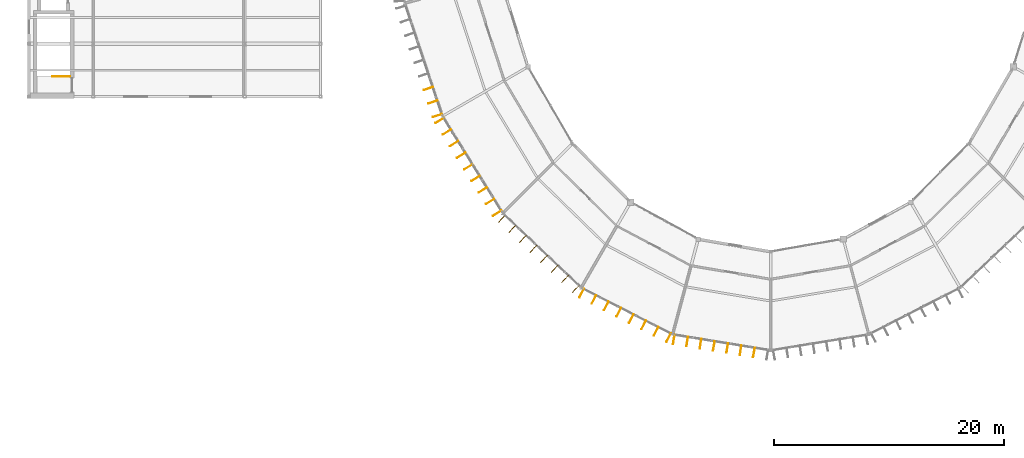
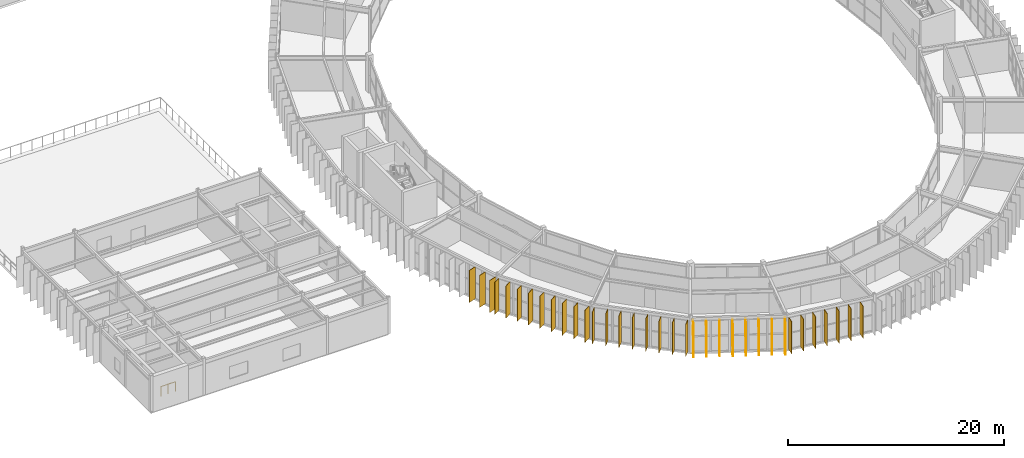
# One storey, part 120 of 130: 35 shading devices, 1 railing.
"""IFC4 building model written with IfcOpenShell, lengths in metres."""

from ifc_helpers import new_model, si_unit, direction, frame, origin, origin_2d, place, context, subcontext, project, spatial, rectangle, circle, extrude, material, layer, layer_set, type_object, element, save


model = new_model("IFC4")

# Units and contexts
model_context = context("Model", 3, precision=1e-05, world=origin(), true_north=direction((0.0, 1.0)))
body_context = subcontext(model_context, "Body", "Model", "MODEL_VIEW")
ifc_project = project(units=[si_unit("LENGTHUNIT", "METRE"), si_unit("AREAUNIT", "SQUARE_METRE"), si_unit("VOLUMEUNIT", "CUBIC_METRE"), si_unit("PLANEANGLEUNIT", "RADIAN"), si_unit("MASSUNIT", "GRAM", prefix="KILO")], contexts=[model_context])

# Site, building, storey
site_placement = place(None, origin())
site = spatial("IfcSite", under=ifc_project, at=site_placement, CompositionType="ELEMENT")
building_placement = place(site_placement, origin())
building = spatial("IfcBuilding", under=site, at=building_placement, Name="Karori Crest Natural Sciences Institute", CompositionType="ELEMENT")
storey_placement = place(building_placement, frame((0.0, 0.0, 17.5)))
storey = spatial("IfcBuildingStorey", under=building, at=storey_placement, Name="L04", CompositionType="ELEMENT", Elevation=17.5)

# Railing
ifc_material_1 = material(Name="Stainless steel 316 stair guard", Category="steel")
railing_type = type_object("IfcRailingType", Name="RLT-STG", PredefinedType="GUARDRAIL", material=ifc_material_1)
railing_placement = place(storey_placement, frame((5.39990234375, 32.949951171875, 0.0)))
element("IfcRailing", 1, at=railing_placement, inside=storey, type_object=railing_type, Name="Stair top well guard RL-0337", PredefinedType="GUARDRAIL", context=body_context, shape_type="SweptSolid", body=[
    extrude(circle(Radius=0.02392578125, at=origin_2d()), frame((0.0, 0.0, 1.076171875), z_axis=(-1.0, 0.0, 0.0), x_axis=(0.0, -1.0, 0.0)), (0.0, 0.0, 1.0), 1.5498046875),
    extrude(circle(Radius=0.02099609375, at=origin_2d()), origin(), (0.0, 0.0, 1.0), 1.052001953125),
    extrude(circle(Radius=0.02099609375, at=origin_2d()), frame((-0.77490234375, 0.0, 0.0)), (0.0, 0.0, 1.0), 1.052001953125),
    extrude(circle(Radius=0.02099609375, at=origin_2d()), frame((-1.5498046875, 0.0, 0.0)), (0.0, 0.0, 1.0), 1.052001953125),
])

# Shading devices
ifc_material_2 = material(Name="Anodised architectural aluminium 6063-T6", Category="aluminium")
ifc_layer = layer(ifc_material_2, 0.044921875, Name="Anodised architectural aluminium 6063-T6")
ifc_layer_set = layer_set([ifc_layer], Name="Anodised architectural aluminium 6063-T6")
shading_device_type = type_object("IfcShadingDeviceType", Name="SDT-FIN", PredefinedType="USERDEFINED", material=ifc_layer_set)
for number, where, z_axis, x_axis, name in (
    (2, (37.374267578125, 29.543701171875, 0.0), (0.0, 0.0, 1.0), (-0.948197867933, -0.317680347595, 0.0), "Vertical solar fin FN-0724"),
    (3, (36.978515625, 30.724609375, 0.0), (0.0, 0.0, 1.0), (-0.948197867933, -0.317680347595, 0.0), "Vertical solar fin FN-0725"),
    (4, (36.5830078125, 31.9052734375, 0.0), (0.0, 0.0, 1.0), (-0.948197867933, -0.317680347595, 0.0), "Vertical solar fin FN-0726"),
    (5, (42.584716796875, 21.047119140625, 0.0), (0.0, 0.0, 1.0), (-0.849661763889, -0.527328063907, 0.0), "Vertical solar fin FN-0733"),
    (6, (41.95849609375, 22.05615234375, 0.0), (0.0, 0.0, 1.0), (-0.849661763889, -0.527328063907, 0.0), "Vertical solar fin FN-0734"),
    (7, (41.332275390625, 23.065185546875, 0.0), (0.0, 0.0, 1.0), (-0.849661763889, -0.527328063907, 0.0), "Vertical solar fin FN-0735"),
    (8, (40.7060546875, 24.07421875, 0.0), (0.0, 0.0, 1.0), (-0.849661763889, -0.527328063907, 0.0), "Vertical solar fin FN-0736"),
    (9, (40.079833984375, 25.083251953125, 0.0), (0.0, 0.0, 1.0), (-0.849661763889, -0.527328063907, 0.0), "Vertical solar fin FN-0737"),
    (10, (39.45361328125, 26.09228515625, 0.0), (0.0, 0.0, 1.0), (-0.849661763889, -0.527328063907, 0.0), "Vertical solar fin FN-0738"),
    (11, (38.827392578125, 27.101318359375, 0.0), (0.0, 0.0, 1.0), (-0.849661763889, -0.527328063907, 0.0), "Vertical solar fin FN-0739"),
    (12, (38.200927734375, 28.110595703125, 0.0), (0.0, 0.0, 1.0), (-0.849661763889, -0.527328063907, 0.0), "Vertical solar fin FN-0740"),
    (13, (37.57470703125, 29.119384765625, 0.0), (0.0, 0.0, 1.0), (-0.849661763889, -0.527328063907, 0.0), "Vertical solar fin FN-0741"),
    (14, (49.419677734375, 14.456787109375, 0.0), (0.0, 0.0, 1.0), (-0.68825202143, -0.725471677599, 0.0), "Vertical solar fin FN-0742"),
    (15, (48.5, 15.3291015625, 0.0), (0.0, 0.0, 1.0), (-0.68825202143, -0.725471677599, 0.0), "Vertical solar fin FN-0743"),
    (16, (47.580322265625, 16.20166015625, 0.0), (0.0, 0.0, 1.0), (-0.68825202143, -0.725471677599, 0.0), "Vertical solar fin FN-0744"),
    (17, (46.660888671875, 17.073974609375, 0.0), (0.0, 0.0, 1.0), (-0.68825202143, -0.725471677599, 0.0), "Vertical solar fin FN-0745"),
    (18, (45.7412109375, 17.9462890625, 0.0), (0.0, 0.0, 1.0), (-0.68825202143, -0.725471677599, 0.0), "Vertical solar fin FN-0746"),
    (19, (44.821533203125, 18.81884765625, 0.0), (0.0, 0.0, 1.0), (-0.68825202143, -0.725471677599, 0.0), "Vertical solar fin FN-0747"),
    (20, (43.902099609375, 19.69140625, 0.0), (0.0, 0.0, 1.0), (-0.68825202143, -0.725471677599, 0.0), "Vertical solar fin FN-0748"),
    (21, (42.982421875, 20.563720703125, 0.0), (0.0, 0.0, 1.0), (-0.68825202143, -0.725471677599, 0.0), "Vertical solar fin FN-0749"),
    (22, (57.5078125, 10.20947265625, 0.0), (0.0, 0.0, 1.0), (-0.455829213737, -0.890067260326, 0.0), "Vertical solar fin FN-0750"),
    (23, (56.425048828125, 10.763916015625, 0.0), (0.0, 0.0, 1.0), (-0.455829213737, -0.890067260326, 0.0), "Vertical solar fin FN-0751"),
    (24, (55.342041015625, 11.318603515625, 0.0), (0.0, 0.0, 1.0), (-0.455829213737, -0.890067260326, 0.0), "Vertical solar fin FN-0752"),
    (25, (54.259033203125, 11.873291015625, 0.0), (0.0, 0.0, 1.0), (-0.455829213737, -0.890067260326, 0.0), "Vertical solar fin FN-0753"),
    (26, (53.176025390625, 12.427734375, 0.0), (0.0, 0.0, 1.0), (-0.455829213737, -0.890067260326, 0.0), "Vertical solar fin FN-0754"),
    (27, (52.09326171875, 12.982421875, 0.0), (0.0, 0.0, 1.0), (-0.455829213737, -0.890067260326, 0.0), "Vertical solar fin FN-0755"),
    (28, (51.01025390625, 13.537109375, 0.0), (0.0, 0.0, 1.0), (-0.455829213737, -0.890067260326, 0.0), "Vertical solar fin FN-0756"),
    (29, (49.92724609375, 14.091552734375, 0.0), (0.0, 0.0, 1.0), (-0.455829213737, -0.890067260326, 0.0), "Vertical solar fin FN-0757"),
    (30, (64.9462890625, 8.921142578125, 0.0), (0.0, 0.0, 1.0), (-0.160654710652, -0.987010670634, 0.0), "Vertical solar fin FN-0759"),
    (31, (63.782958984375, 9.110595703125, 0.0), (0.0, 0.0, 1.0), (-0.160654710652, -0.987010670634, 0.0), "Vertical solar fin FN-0760"),
    (32, (62.61962890625, 9.2998046875, 0.0), (0.0, 0.0, 1.0), (-0.160654710652, -0.987010670634, 0.0), "Vertical solar fin FN-0761"),
    (33, (61.45654296875, 9.4892578125, 0.0), (0.0, 0.0, 1.0), (-0.160654710652, -0.987010670634, 0.0), "Vertical solar fin FN-0762"),
    (34, (60.293212890625, 9.6787109375, 0.0), (0.0, 0.0, 1.0), (-0.160654710652, -0.987010670634, 0.0), "Vertical solar fin FN-0763"),
    (35, (59.130126953125, 9.867919921875, 0.0), (0.0, 0.0, 1.0), (-0.160654710652, -0.987010670634, 0.0), "Vertical solar fin FN-0764"),
    (36, (57.966796875, 10.057373046875, 0.0), (0.0, 0.0, 1.0), (-0.160654710652, -0.987010670634, 0.0), "Vertical solar fin FN-0765"),
):
    element("IfcShadingDevice", number, at=place(storey_placement, frame(where, z_axis=z_axis, x_axis=x_axis)), inside=storey, type_object=shading_device_type, Name=name, ObjectType="SOLAR_FIN", PredefinedType="USERDEFINED", context=body_context, shape_type="SweptSolid", body=[
        extrude(rectangle(XDim=0.85009765625, YDim=0.044921875, at=origin_2d()), origin(), (0.0, 0.0, 1.0), 3.625),
    ])

save(model, "model.ifc")
